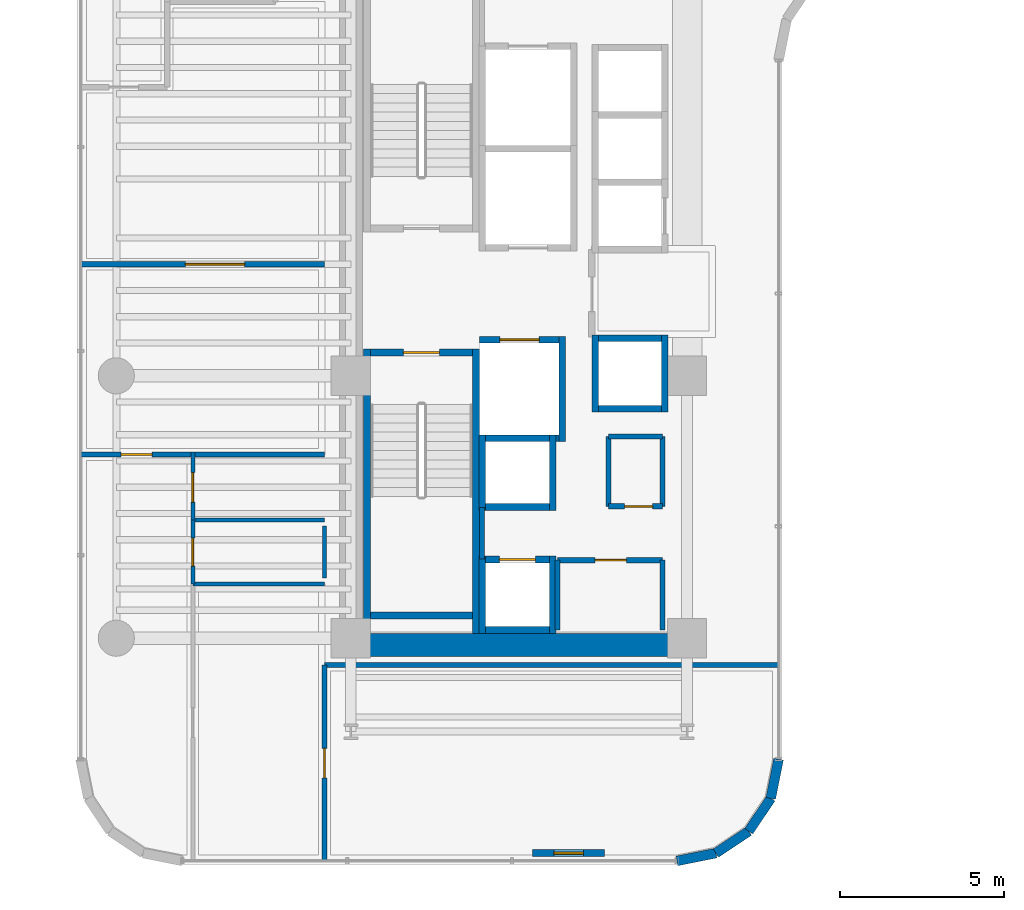
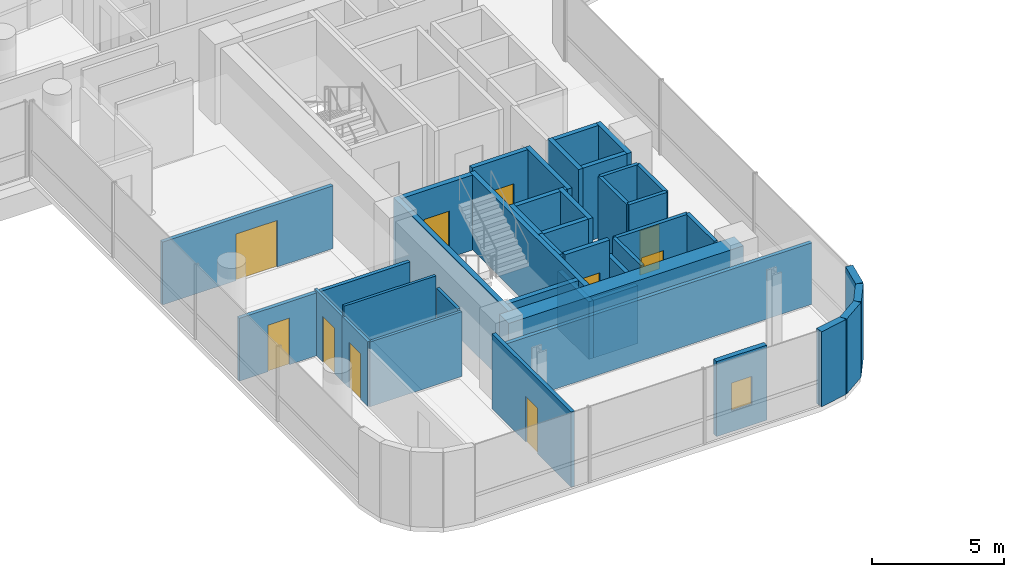
# One storey, part 27 of 35: 41 walls, 10 doors, 1 window, 11 openings.
"""IFC4 building model written with IfcOpenShell, lengths in metres."""

from ifc_helpers import new_model, si_unit, direction, frame, frame_2d, origin, place, context, subcontext, project, spatial, rectangle, extrude, material, layer, layer_set, type_object, element, fill, save


model = new_model("IFC4")

# Units and contexts
model_context = context("Model", 3, precision=1e-05, world=origin(), true_north=direction((0.0, 1.0)))
body_context = subcontext(model_context, "Body", "Model", "MODEL_VIEW")
ifc_project = project(units=[si_unit("LENGTHUNIT", "METRE"), si_unit("AREAUNIT", "SQUARE_METRE"), si_unit("VOLUMEUNIT", "CUBIC_METRE"), si_unit("PLANEANGLEUNIT", "RADIAN"), si_unit("MASSUNIT", "GRAM", prefix="KILO")], contexts=[model_context])

# Site, building, storey
site_placement = place(None, origin())
site = spatial("IfcSite", under=ifc_project, at=site_placement, CompositionType="ELEMENT")
building_placement = place(site_placement, origin())
building = spatial("IfcBuilding", under=site, at=building_placement, Name="Valdorenza Pilgrim Sanctuary Tower", CompositionType="ELEMENT")
storey_placement = place(building_placement, frame((0.0, 0.0, 150.10009765625)))
storey = spatial("IfcBuildingStorey", under=building, at=storey_placement, Name="L38", CompositionType="ELEMENT", Elevation=150.10009765625)

# Wall
ifc_material_1 = material(Name="Acoustic twin-stud gypsum partition", Category="gypsum")
ifc_layer_1 = layer(ifc_material_1, 0.159912109375, Name="Acoustic twin-stud gypsum partition")
ifc_layer_set_1 = layer_set([ifc_layer_1], Name="Acoustic twin-stud gypsum partition")
wall_type_1 = type_object("IfcWallType", Name="WAL-COR-160", PredefinedType="PARTITIONING", material=ifc_layer_set_1)
wall_1_placement = place(storey_placement, frame((-18.64990234375, -8.179931640625, 0.0), z_axis=(0.0, 0.0, 1.0), x_axis=(0.0, 1.0, 0.0)))
element("IfcWall", 1, at=wall_1_placement, inside=storey, type_object=wall_type_1, Name="L38 Core A South Lift Hall West Wall", PredefinedType="PARTITIONING", context=body_context, shape_type="SweptSolid", body=[
    extrude(rectangle(XDim=1.559814453125, YDim=0.159912109375, at=frame_2d((0.77978515625, 0.0))), origin(), (0.0, 0.0, 1.0), 3.4599609375),
])

# Wall, opening, door
wall_2_placement = place(storey_placement, frame((-16.35009765625, -8.219970703125, 0.0), z_axis=(0.0, 0.0, 1.0), x_axis=(1.0, 0.0, 0.0)))
wall_2 = element("IfcWall", 2, at=wall_2_placement, inside=storey, type_object=wall_type_1, Name="L38 Freed Shaft 1 North Wall", PredefinedType="PARTITIONING", context=body_context, shape_type="SweptSolid", body=[
    extrude(rectangle(XDim=3.2001953125, YDim=0.159912109375, at=frame_2d((1.60009765625, 0.0))), origin(), (0.0, 0.0, 1.0), 3.4599609375),
])
opening_1_placement = place(wall_2_placement, frame((1.14990234375, 0.0, 0.0)))
opening_1 = element("IfcOpeningElement", 3, at=opening_1_placement, cuts=wall_2, Name="Opening DR-UN1", PredefinedType="OPENING", context=body_context, shape_type="SweptSolid", body=[
    extrude(rectangle(XDim=0.949951171875, YDim=2.14990234375, at=frame_2d((0.47509765625, 1.074951171875))), frame((0.0, 0.0947265625, 0.0), z_axis=(0.0, -1.0, 0.0), x_axis=(1.0, 0.0, 0.0)), (0.0, 0.0, 1.0), 0.189697265625),
])
ifc_material_2 = material(Name="Solid-core European oak timber", Category="wood")
door_type_1 = type_object("IfcDoorType", Name="DR-UNIT-950", OperationType="NOTDEFINED", PredefinedType="DOOR", material=ifc_material_2)
door_1_placement = place(opening_1_placement, origin())
door_1 = element("IfcDoor", 4, at=door_1_placement, inside=storey, type_object=door_type_1, Name="L38 Back-of-House Linen Store Door", OperationType="SINGLE_SWING_RIGHT", OverallHeight=2.14990234375, OverallWidth=0.949951171875, PredefinedType="DOOR", context=body_context, shape_type="SweptSolid", body=[
    extrude(rectangle(XDim=0.949951171875, YDim=2.14990234375, at=frame_2d((0.47509765625, 1.074951171875))), frame((0.0, 0.02490234375, 0.0), z_axis=(0.0, -1.0, 0.0), x_axis=(1.0, 0.0, 0.0)), (0.0, 0.0, 1.0), 0.050048828125),
])
fill(opening_1, door_1)

# Wall
wall_3_placement = place(storey_placement, frame((-13.14990234375, -10.35009765625, 0.0), z_axis=(0.0, 0.0, 1.0), x_axis=(0.0, 1.0, 0.0)))
element("IfcWall", 5, at=wall_3_placement, inside=storey, type_object=wall_type_1, Name="L38 Freed Shaft 1 East Wall", PredefinedType="PARTITIONING", context=body_context, shape_type="SweptSolid", body=[
    extrude(rectangle(XDim=2.130126953125, YDim=0.159912109375, at=frame_2d((1.06494140625, 0.0))), origin(), (0.0, 0.0, 1.0), 3.4599609375),
])

# Wall, opening, door
wall_4_placement = place(storey_placement, frame((-14.800048828125, -6.580078125, 0.0), z_axis=(0.0, 0.0, 1.0), x_axis=(1.0, 0.0, 0.0)))
wall_4 = element("IfcWall", 6, at=wall_4_placement, inside=storey, type_object=wall_type_1, Name="L38 Freed Shaft 2 South Wall", PredefinedType="PARTITIONING", context=body_context, shape_type="SweptSolid", body=[
    extrude(rectangle(XDim=1.650146484375, YDim=0.159912109375, at=frame_2d((0.8251953125, 0.0))), origin(), (0.0, 0.0, 1.0), 3.4599609375),
])
opening_2_placement = place(wall_4_placement, frame((0.5, 0.0, 0.0)))
opening_2 = element("IfcOpeningElement", 7, at=opening_2_placement, cuts=wall_4, Name="Opening DR-RS1", PredefinedType="OPENING", context=body_context, shape_type="SweptSolid", body=[
    extrude(rectangle(XDim=0.85009765625, YDim=2.050048828125, at=frame_2d((0.425048828125, 1.02490234375))), frame((0.0, 0.0947265625, 0.0), z_axis=(0.0, -1.0, 0.0), x_axis=(1.0, 0.0, 0.0)), (0.0, 0.0, 1.0), 0.189697265625),
])
ifc_material_3 = material(Name="Painted galvanized steel", Category="steel")
door_type_2 = type_object("IfcDoorType", Name="DR-RSR-850", OperationType="NOTDEFINED", PredefinedType="DOOR", material=ifc_material_3)
door_2_placement = place(opening_2_placement, origin())
door_2 = element("IfcDoor", 8, at=door_2_placement, inside=storey, type_object=door_type_2, Name="L38 Guest Tea Pantry Door", OperationType="SINGLE_SWING_LEFT", OverallHeight=2.050048828125, OverallWidth=0.85009765625, PredefinedType="DOOR", context=body_context, shape_type="SweptSolid", body=[
    extrude(rectangle(XDim=0.85009765625, YDim=2.050048828125, at=frame_2d((0.425048828125, 1.02490234375))), frame((0.0, 0.02490234375, 0.0), z_axis=(0.0, -1.0, 0.0), x_axis=(1.0, 0.0, 0.0)), (0.0, 0.0, 1.0), 0.050048828125),
])
fill(opening_2, door_2)

# Walls
wall_5_placement = place(storey_placement, frame((-13.14990234375, -6.580078125, 0.0), z_axis=(0.0, 0.0, 1.0), x_axis=(0.0, 1.0, 0.0)))
element("IfcWall", 9, at=wall_5_placement, inside=storey, type_object=wall_type_1, Name="L38 Freed Shaft 2 East Wall", PredefinedType="PARTITIONING", context=body_context, shape_type="SweptSolid", body=[
    extrude(rectangle(XDim=2.130126953125, YDim=0.159912109375, at=frame_2d((1.06494140625, 0.0))), origin(), (0.0, 0.0, 1.0), 3.4599609375),
])
wall_6_placement = place(storey_placement, frame((-23.449951171875, -11.419921875, 0.0), z_axis=(0.0, 0.0, 1.0), x_axis=(1.0, 0.0, 0.0)))
element("IfcWall", 10, at=wall_6_placement, inside=storey, type_object=wall_type_1, Name="L38 South-East Pocket North Wall", PredefinedType="PARTITIONING", context=body_context, shape_type="SweptSolid", body=[
    extrude(rectangle(XDim=13.83984375, YDim=0.159912109375, at=frame_2d((6.919921875, 0.0))), origin(), (0.0, 0.0, 1.0), 2.833984375),
])

# Wall, opening, door
wall_7_placement = place(storey_placement, frame((-23.449951171875, -17.389892578125, 0.0), z_axis=(0.0, 0.0, 1.0), x_axis=(0.0, 1.0, 0.0)))
wall_7 = element("IfcWall", 11, at=wall_7_placement, inside=storey, type_object=wall_type_1, Name="L38 South-East Pocket West Wall", PredefinedType="PARTITIONING", context=body_context, shape_type="SweptSolid", body=[
    extrude(rectangle(XDim=5.969970703125, YDim=0.159912109375, at=frame_2d((2.98486328125, 0.0))), origin(), (0.0, 0.0, 1.0), 3.4599609375),
])
opening_3_placement = place(wall_7_placement, frame((2.534912109375, 0.0, 0.0)))
opening_3 = element("IfcOpeningElement", 12, at=opening_3_placement, cuts=wall_7, Name="Opening DR-RM1", PredefinedType="OPENING", context=body_context, shape_type="SweptSolid", body=[
    extrude(rectangle(XDim=0.89990234375, YDim=2.10009765625, at=frame_2d((0.449951171875, 1.050048828125))), frame((0.0, 0.0947265625, 0.0), z_axis=(0.0, -1.0, 0.0), x_axis=(1.0, 0.0, 0.0)), (0.0, 0.0, 1.0), 0.189697265625),
])
door_type_3 = type_object("IfcDoorType", Name="DR-ROOM-900", OperationType="NOTDEFINED", PredefinedType="DOOR", material=ifc_material_2)
door_3_placement = place(opening_3_placement, frame((0.89990234375, 0.0, 0.0), z_axis=(0.0, 0.0, 1.0), x_axis=(-1.0, 0.0, 0.0)))
door_3 = element("IfcDoor", 13, at=door_3_placement, inside=storey, type_object=door_type_3, Name="L38 Sacred Archive Reading Library L38-S Door", OperationType="SINGLE_SWING_LEFT", OverallHeight=2.10009765625, OverallWidth=0.89990234375, PredefinedType="DOOR", context=body_context, shape_type="SweptSolid", body=[
    extrude(rectangle(XDim=0.89990234375, YDim=2.10009765625, at=frame_2d((0.449951171875, 1.050048828125))), frame((0.0, 0.02490234375, 0.0), z_axis=(0.0, -1.0, 0.0), x_axis=(1.0, 0.0, 0.0)), (0.0, 0.0, 1.0), 0.050048828125),
])
fill(opening_3, door_3)

wall_8_placement = place(storey_placement, frame((-30.889892578125, -5.0, 0.0), z_axis=(0.0, 0.0, 1.0), x_axis=(1.0, 0.0, 0.0)))
wall_8 = element("IfcWall", 14, at=wall_8_placement, inside=storey, type_object=wall_type_1, Name="L38 Cloister South Room Wall", PredefinedType="PARTITIONING", context=body_context, shape_type="SweptSolid", body=[
    extrude(rectangle(XDim=7.43994140625, YDim=0.159912109375, at=frame_2d((3.719970703125, 0.0))), origin(), (0.0, 0.0, 1.0), 2.89599609375),
])
opening_4_placement = place(wall_8_placement, frame((1.236083984375, 0.0, 0.0)))
opening_4 = element("IfcOpeningElement", 15, at=opening_4_placement, cuts=wall_8, Name="Opening DR-UN1", PredefinedType="OPENING", context=body_context, shape_type="SweptSolid", body=[
    extrude(rectangle(XDim=0.949951171875, YDim=2.14990234375, at=frame_2d((0.47509765625, 1.074951171875))), frame((0.0, 0.0947265625, 0.0), z_axis=(0.0, -1.0, 0.0), x_axis=(1.0, 0.0, 0.0)), (0.0, 0.0, 1.0), 0.189697265625),
])
door_4_placement = place(opening_4_placement, frame((0.949951171875, 0.0, 0.0), z_axis=(0.0, 0.0, 1.0), x_axis=(-1.0, 0.0, 0.0)))
door_4 = element("IfcDoor", 16, at=door_4_placement, inside=storey, type_object=door_type_1, Name="L38 Sanctuary Apartment L38-CS1 Entrance Door", OperationType="SINGLE_SWING_LEFT", OverallHeight=2.14990234375, OverallWidth=0.949951171875, PredefinedType="DOOR", context=body_context, shape_type="SweptSolid", body=[
    extrude(rectangle(XDim=0.949951171875, YDim=2.14990234375, at=frame_2d((0.47509765625, 1.074951171875))), frame((0.0, 0.02490234375, 0.0), z_axis=(0.0, -1.0, 0.0), x_axis=(1.0, 0.0, 0.0)), (0.0, 0.0, 1.0), 0.050048828125),
])
fill(opening_4, door_4)

wall_9_placement = place(storey_placement, frame((-30.889892578125, 0.800048828125, 0.0), z_axis=(0.0, 0.0, 1.0), x_axis=(1.0, 0.0, 0.0)))
wall_9 = element("IfcWall", 17, at=wall_9_placement, inside=storey, type_object=wall_type_1, Name="L38 Cloister Mid Wall", PredefinedType="PARTITIONING", context=body_context, shape_type="SweptSolid", body=[
    extrude(rectangle(XDim=7.43994140625, YDim=0.159912109375, at=frame_2d((3.719970703125, 0.0))), origin(), (0.0, 0.0, 1.0), 2.89599609375),
])
opening_5_placement = place(wall_9_placement, frame((3.199951171875, 0.0, 0.0)))
opening_5 = element("IfcOpeningElement", 18, at=opening_5_placement, cuts=wall_9, Name="Opening DR-HL1", PredefinedType="OPENING", context=body_context, shape_type="SweptSolid", body=[
    extrude(rectangle(XDim=1.800048828125, YDim=2.14990234375, at=frame_2d((0.89990234375, 1.074951171875))), frame((0.0, 0.0947265625, 0.0), z_axis=(0.0, -1.0, 0.0), x_axis=(1.0, 0.0, 0.0)), (0.0, 0.0, 1.0), 0.189697265625),
])
ifc_material_4 = material(Name="Acoustic oak and vision-glass double door", Category="glass")
door_type_4 = type_object("IfcDoorType", Name="DR-HALL-1800", OperationType="NOTDEFINED", PredefinedType="DOOR", material=ifc_material_4)
door_5_placement = place(opening_5_placement, origin())
door_5 = element("IfcDoor", 19, at=door_5_placement, inside=storey, type_object=door_type_4, Name="L38 Cloister Mid Double Door", OperationType="DOUBLE_DOOR_SINGLE_SWING", OverallHeight=2.14990234375, OverallWidth=1.800048828125, PredefinedType="DOOR", context=body_context, shape_type="SweptSolid", body=[
    extrude(rectangle(XDim=1.800048828125, YDim=2.14990234375, at=frame_2d((0.89990234375, 1.074951171875))), frame((0.0, 0.02490234375, 0.0), z_axis=(0.0, -1.0, 0.0), x_axis=(1.0, 0.0, 0.0)), (0.0, 0.0, 1.0), 0.050048828125),
])
fill(opening_5, door_5)

# Walls
ifc_material_5 = material(Name="Concrete C60/75", Category="concrete")
ifc_layer_2 = layer(ifc_material_5, 0.699951171875, Name="Concrete C60/75")
ifc_layer_set_2 = layer_set([ifc_layer_2], Name="Concrete C60/75")
wall_type_2 = type_object("IfcWallType", Name="WAL-COR-700", PredefinedType="SHEAR", material=ifc_layer_set_2)
wall_10_placement = place(storey_placement, frame((-22.64990234375, -10.800048828125, 0.0), z_axis=(0.0, 0.0, 1.0), x_axis=(1.0, 0.0, 0.0)))
element("IfcWall", 20, at=wall_10_placement, inside=storey, type_object=wall_type_2, Name="L38 Split Core A Shear Wall S", PredefinedType="SHEAR", context=body_context, shape_type="SweptSolid", body=[
    extrude(rectangle(XDim=10.25, YDim=0.699951171875, at=frame_2d((5.125, 0.0))), origin(), (0.0, 0.0, 1.0), 3.4599609375),
])
ifc_material_6 = material(Name="Honed travertine limestone", Category="masonry")
ifc_layer_3 = layer(ifc_material_6, 0.300048828125, Name="Honed travertine limestone")
ifc_layer_set_3 = layer_set([ifc_layer_3], Name="Honed travertine limestone")
wall_type_3 = type_object("IfcWallType", Name="WAL-EXT-300", PredefinedType="SOLIDWALL", material=ifc_layer_set_3)
wall_11_placement = place(storey_placement, frame((-9.610107421875, -14.289306640625, 0.0), z_axis=(0.0, 0.0, 1.0), x_axis=(-0.194996050505, -0.980804027463, 0.0)))
element("IfcWall", 21, at=wall_11_placement, inside=storey, type_object=wall_type_3, Name="L38 Rounded Wind-Corner Stone Pier 42", PredefinedType="SOLIDWALL", context=body_context, shape_type="SweptSolid", body=[
    extrude(rectangle(XDim=1.2158203125, YDim=0.300048828125, at=frame_2d((0.60791015625, 0.0))), origin(), (0.0, 0.0, 1.0), 3.4599609375),
])
for number, where, z_axis, x_axis, name in (
    (22, (-9.84716796875, -15.481689453125, 0.0), (0.0, 0.0, 1.0), (-0.555635100982, -0.831426265255, 0.0), "L38 Rounded Wind-Corner Stone Pier 43"),
    (23, (-10.5166015625, -16.4833984375, 0.0), (0.0, 0.0, 1.0), (-0.831426265255, -0.555635100982, 0.0), "L38 Rounded Wind-Corner Stone Pier 44"),
):
    element("IfcWall", number, at=place(storey_placement, frame(where, z_axis=z_axis, x_axis=x_axis)), inside=storey, type_object=wall_type_3, Name=name, PredefinedType="SOLIDWALL", context=body_context, shape_type="SweptSolid", body=[
        extrude(rectangle(XDim=1.204833984375, YDim=0.300048828125, at=frame_2d((0.6025390625, 0.0))), origin(), (0.0, 0.0, 1.0), 3.4599609375),
    ])
wall_12_placement = place(storey_placement, frame((-11.518310546875, -17.15283203125, 0.0), z_axis=(0.0, 0.0, 1.0), x_axis=(-0.980804027463, -0.194996050505, 0.0)))
element("IfcWall", 24, at=wall_12_placement, inside=storey, type_object=wall_type_3, Name="L38 Rounded Wind-Corner Stone Pier 45", PredefinedType="SOLIDWALL", context=body_context, shape_type="SweptSolid", body=[
    extrude(rectangle(XDim=1.2158203125, YDim=0.300048828125, at=frame_2d((0.60791015625, 0.0))), origin(), (0.0, 0.0, 1.0), 3.4599609375),
])

# Wall, opening, window
wall_13_placement = place(storey_placement, frame((-14.910888671875, -17.14990234375, 0.0), z_axis=(0.0, 0.0, 1.0), x_axis=(-1.0, 0.0, 0.0)))
wall_13 = element("IfcWall", 25, at=wall_13_placement, inside=storey, type_object=wall_type_3, Name="L38 Operable Ventilation Sash Jamb Pier", PredefinedType="SOLIDWALL", context=body_context, shape_type="SweptSolid", body=[
    extrude(rectangle(XDim=2.199951171875, YDim=0.219970703125, at=frame_2d((1.10009765625, 0.0))), origin(), (0.0, 0.0, 1.0), 3.4599609375),
])
opening_6_placement = place(wall_13_placement, frame((0.64990234375, 0.0, 0.949951171875)))
opening_6 = element("IfcOpeningElement", 26, at=opening_6_placement, cuts=wall_13, Name="Opening WN-OP1", PredefinedType="OPENING", context=body_context, shape_type="SweptSolid", body=[
    extrude(rectangle(XDim=0.89990234375, YDim=1.300048828125, at=frame_2d((0.449951171875, 0.64990234375))), frame((0.0, 0.125, 0.0), z_axis=(0.0, -1.0, 0.0), x_axis=(1.0, 0.0, 0.0)), (0.0, 0.0, 1.0), 0.249755859375),
])
ifc_material_7 = material(Name="Ceramic-fritted low-E IGU glazing", Category="glass")
window_type = type_object("IfcWindowType", Name="WIN-OPN-900", PartitioningType="SINGLE_PANEL", PredefinedType="WINDOW", material=ifc_material_7)
window_placement = place(opening_6_placement, origin())
window = element("IfcWindow", 27, at=window_placement, inside=storey, type_object=window_type, Name="L38 Parallel-Pop-Out Operable Facade Panel", OverallHeight=1.300048828125, OverallWidth=0.89990234375, PartitioningType="SINGLE_PANEL", PredefinedType="WINDOW", context=body_context, shape_type="SweptSolid", body=[
    extrude(rectangle(XDim=0.89990234375, YDim=1.300048828125, at=frame_2d((0.449951171875, 0.64990234375))), frame((0.0, 0.030029296875, 0.0), z_axis=(0.0, -1.0, 0.0), x_axis=(1.0, 0.0, 0.0)), (0.0, 0.0, 1.0), 0.06005859375),
])
fill(opening_6, window)

# Walls
ifc_material_8 = material(Name="Moisture-resistant gypsum partition", Category="gypsum")
ifc_layer_4 = layer(ifc_material_8, 0.1201171875, Name="Moisture-resistant gypsum partition")
ifc_layer_set_4 = layer_set([ifc_layer_4], Name="Moisture-resistant gypsum partition")
wall_type_4 = type_object("IfcWallType", Name="WAL-INT-120", PredefinedType="PARTITIONING", material=ifc_layer_set_4)
wall_14_placement = place(storey_placement, frame((-27.467529296875, -7.0, 0.0), z_axis=(0.0, 0.0, 1.0), x_axis=(1.0, 0.0, 0.0)))
element("IfcWall", 28, at=wall_14_placement, inside=storey, type_object=wall_type_4, Name="L38 Sanctuary Apartment L38-CS1 Bath-Kitchen Wall", PredefinedType="PARTITIONING", context=body_context, shape_type="SweptSolid", body=[
    extrude(rectangle(XDim=4.017578125, YDim=0.1201171875, at=frame_2d((2.0087890625, 0.0))), origin(), (0.0, 0.0, 1.0), 3.4599609375),
])
wall_15_placement = place(storey_placement, frame((-27.467529296875, -8.949951171875, 0.0), z_axis=(0.0, 0.0, 1.0), x_axis=(1.0, 0.0, 0.0)))
element("IfcWall", 29, at=wall_15_placement, inside=storey, type_object=wall_type_4, Name="L38 Sanctuary Apartment L38-CS1 Kitchen-Bedroom Wall", PredefinedType="PARTITIONING", context=body_context, shape_type="SweptSolid", body=[
    extrude(rectangle(XDim=4.017578125, YDim=0.1201171875, at=frame_2d((2.0087890625, 0.0))), origin(), (0.0, 0.0, 1.0), 2.98779296875),
])

# Wall, opening, door
wall_16_placement = place(storey_placement, frame((-27.467529296875, -8.949951171875, 0.0), z_axis=(0.0, 0.0, 1.0), x_axis=(0.0, 1.0, 0.0)))
wall_16 = element("IfcWall", 30, at=wall_16_placement, inside=storey, type_object=wall_type_4, Name="L38 Sanctuary Apartment L38-CS1 Bathroom Door Wall", PredefinedType="PARTITIONING", context=body_context, shape_type="SweptSolid", body=[
    extrude(rectangle(XDim=1.949951171875, YDim=0.1201171875, at=frame_2d((0.97509765625, 0.0))), origin(), (0.0, 0.0, 1.0), 2.98779296875),
])
opening_7_placement = place(wall_16_placement, frame((0.550048828125, 0.0, 0.0)))
opening_7 = element("IfcOpeningElement", 31, at=opening_7_placement, cuts=wall_16, Name="Opening DR-WC1", PredefinedType="OPENING", context=body_context, shape_type="SweptSolid", body=[
    extrude(rectangle(XDim=0.85009765625, YDim=2.10009765625, at=frame_2d((0.425048828125, 1.050048828125))), frame((0.0, 0.074951171875, 0.0), z_axis=(0.0, -1.0, 0.0), x_axis=(1.0, 0.0, 0.0)), (0.0, 0.0, 1.0), 0.14990234375),
])
ifc_material_9 = material(Name="Moisture-resistant lacquered timber", Category="wood")
door_type_5 = type_object("IfcDoorType", Name="DR-BATH-850", OperationType="NOTDEFINED", PredefinedType="DOOR", material=ifc_material_9)
door_6_placement = place(opening_7_placement, origin())
door_6 = element("IfcDoor", 32, at=door_6_placement, inside=storey, type_object=door_type_5, Name="L38 Sanctuary Apartment L38-CS1 Bathroom Door", OperationType="SINGLE_SWING_RIGHT", OverallHeight=2.10009765625, OverallWidth=0.85009765625, PredefinedType="DOOR", context=body_context, shape_type="SweptSolid", body=[
    extrude(rectangle(XDim=0.85009765625, YDim=2.10009765625, at=frame_2d((0.425048828125, 1.050048828125))), frame((0.0, 0.02490234375, 0.0), z_axis=(0.0, -1.0, 0.0), x_axis=(1.0, 0.0, 0.0)), (0.0, 0.0, 1.0), 0.050048828125),
])
fill(opening_7, door_6)

wall_17_placement = place(storey_placement, frame((-27.467529296875, -7.0, 0.0), z_axis=(0.0, 0.0, 1.0), x_axis=(0.0, 1.0, 0.0)))
wall_17 = element("IfcWall", 33, at=wall_17_placement, inside=storey, type_object=wall_type_4, Name="L38 Sanctuary Apartment L38-CS1 Kitchen Door Wall", PredefinedType="PARTITIONING", context=body_context, shape_type="SweptSolid", body=[
    extrude(rectangle(XDim=2.080078125, YDim=0.1201171875, at=frame_2d((1.0400390625, 0.0))), origin(), (0.0, 0.0, 1.0), 2.98779296875),
])
opening_8_placement = place(wall_17_placement, frame((0.550048828125, 0.0, 0.0)))
opening_8 = element("IfcOpeningElement", 34, at=opening_8_placement, cuts=wall_17, Name="Opening DR-RM1", PredefinedType="OPENING", context=body_context, shape_type="SweptSolid", body=[
    extrude(rectangle(XDim=0.89990234375, YDim=2.10009765625, at=frame_2d((0.449951171875, 1.050048828125))), frame((0.0, 0.074951171875, 0.0), z_axis=(0.0, -1.0, 0.0), x_axis=(1.0, 0.0, 0.0)), (0.0, 0.0, 1.0), 0.14990234375),
])
door_7_placement = place(opening_8_placement, origin())
door_7 = element("IfcDoor", 35, at=door_7_placement, inside=storey, type_object=door_type_3, Name="L38 Sanctuary Apartment L38-CS1 Kitchen Door", OperationType="SINGLE_SWING_LEFT", OverallHeight=2.10009765625, OverallWidth=0.89990234375, PredefinedType="DOOR", context=body_context, shape_type="SweptSolid", body=[
    extrude(rectangle(XDim=0.89990234375, YDim=2.10009765625, at=frame_2d((0.449951171875, 1.050048828125))), frame((0.0, 0.02490234375, 0.0), z_axis=(0.0, -1.0, 0.0), x_axis=(1.0, 0.0, 0.0)), (0.0, 0.0, 1.0), 0.050048828125),
])
fill(opening_8, door_7)

# Walls
wall_18_placement = place(storey_placement, frame((-23.449951171875, -8.77001953125, 0.0), z_axis=(0.0, 0.0, 1.0), x_axis=(0.0, 1.0, 0.0)))
element("IfcWall", 36, at=wall_18_placement, inside=storey, type_object=wall_type_4, Name="L38 CL-SF1-BTH Enclosure Wall E", PredefinedType="PARTITIONING", context=body_context, shape_type="SweptSolid", body=[
    extrude(rectangle(XDim=1.590087890625, YDim=0.1201171875, at=frame_2d((0.794921875, 0.0))), origin(), (0.0, 0.0, 1.0), 2.98779296875),
])
ifc_material_10 = material(Name="Autoclaved aerated concrete blockwork", Category="masonry")
ifc_layer_5 = layer(ifc_material_10, 0.199951171875, Name="Autoclaved aerated concrete blockwork")
ifc_layer_set_5 = layer_set([ifc_layer_5], Name="Autoclaved aerated concrete blockwork")
wall_type_5 = type_object("IfcWallType", Name="WAL-SHF-200", PredefinedType="MOVABLE", material=ifc_layer_set_5)
wall_19_placement = place(storey_placement, frame((-16.199951171875, -4.60009765625, 0.0), z_axis=(0.0, 0.0, 1.0), x_axis=(0.0, 1.0, 0.0)))
element("IfcWall", 37, at=wall_19_placement, inside=storey, type_object=wall_type_5, Name="L38 Lift FFL-02 Hoistway Wall East", PredefinedType="MOVABLE", context=body_context, shape_type="SweptSolid", body=[
    extrude(rectangle(XDim=3.2001953125, YDim=0.199951171875, at=frame_2d((1.60009765625, 0.0))), origin(), (0.0, 0.0, 1.0), 3.4599609375),
])
wall_20_placement = place(storey_placement, frame((-18.719970703125, -4.5, 0.0), z_axis=(0.0, 0.0, 1.0), x_axis=(1.0, 0.0, 0.0)))
element("IfcWall", 38, at=wall_20_placement, inside=storey, type_object=wall_type_5, Name="L38 Lift FFL-02 Hoistway Wall South", PredefinedType="MOVABLE", context=body_context, shape_type="SweptSolid", body=[
    extrude(rectangle(XDim=2.419921875, YDim=0.199951171875, at=frame_2d((1.2099609375, 0.0))), origin(), (0.0, 0.0, 1.0), 3.4599609375),
])

# Wall, opening, door
wall_21_placement = place(storey_placement, frame((-18.719970703125, -1.5, 0.0), z_axis=(0.0, 0.0, 1.0), x_axis=(1.0, 0.0, 0.0)))
wall_21 = element("IfcWall", 39, at=wall_21_placement, inside=storey, type_object=wall_type_5, Name="L38 Lift FFL-02 Hoistway Wall North", PredefinedType="MOVABLE", context=body_context, shape_type="SweptSolid", body=[
    extrude(rectangle(XDim=2.419921875, YDim=0.199951171875, at=frame_2d((1.2099609375, 0.0))), origin(), (0.0, 0.0, 1.0), 3.4599609375),
])
opening_9_placement = place(wall_21_placement, frame((0.610107421875, 0.0, 0.0)))
opening_9 = element("IfcOpeningElement", 40, at=opening_9_placement, cuts=wall_21, Name="Opening LD-02", PredefinedType="OPENING", context=body_context, shape_type="SweptSolid", body=[
    extrude(rectangle(XDim=1.199951171875, YDim=2.10009765625, at=frame_2d((0.60009765625, 1.050048828125))), frame((0.0, 0.11474609375, 0.0), z_axis=(0.0, -1.0, 0.0), x_axis=(1.0, 0.0, 0.0)), (0.0, 0.0, 1.0), 0.229736328125),
])
ifc_material_11 = material(Name="Brushed stainless steel Grade 316", Category="steel")
door_type_6 = type_object("IfcDoorType", Name="DR-LFT-1200", OperationType="DOUBLE_DOOR_SLIDING", PredefinedType="DOOR", material=ifc_material_11)
door_8_placement = place(opening_9_placement, origin())
door_8 = element("IfcDoor", 41, at=door_8_placement, inside=storey, type_object=door_type_6, Name="L38 Lift FFL-02 Sliding Landing Door", OperationType="DOUBLE_DOOR_SLIDING", OverallHeight=2.10009765625, OverallWidth=1.199951171875, PredefinedType="DOOR", context=body_context, shape_type="SweptSolid", body=[
    extrude(rectangle(XDim=1.199951171875, YDim=2.10009765625, at=frame_2d((0.60009765625, 1.050048828125))), frame((0.0, 0.02490234375, 0.0), z_axis=(0.0, -1.0, 0.0), x_axis=(1.0, 0.0, 0.0)), (0.0, 0.0, 1.0), 0.050048828125),
])
fill(opening_9, door_8)

# Walls
for number, where, z_axis, x_axis, name in (
    (42, (-18.64990234375, -10.449951171875, 0.0), (0.0, 0.0, 1.0), (0.0, 1.0, 0.0), "L38 Lift PL-05 Hoistway Wall West"),
    (43, (-16.5, -10.449951171875, 0.0), (0.0, 0.0, 1.0), (0.0, 1.0, 0.0), "L38 Lift PL-05 Hoistway Wall East"),
):
    element("IfcWall", number, at=place(storey_placement, frame(where, z_axis=z_axis, x_axis=x_axis)), inside=storey, type_object=wall_type_5, Name=name, PredefinedType="MOVABLE", context=body_context, shape_type="SweptSolid", body=[
        extrude(rectangle(XDim=2.349853515625, YDim=0.199951171875, at=frame_2d((1.1748046875, 0.0))), origin(), (0.0, 0.0, 1.0), 2.666015625),
    ])
wall_22_placement = place(storey_placement, frame((-18.550048828125, -10.35009765625, 0.0), z_axis=(0.0, 0.0, 1.0), x_axis=(1.0, 0.0, 0.0)))
element("IfcWall", 44, at=wall_22_placement, inside=storey, type_object=wall_type_5, Name="L38 Lift PL-05 Hoistway Wall South", PredefinedType="MOVABLE", context=body_context, shape_type="SweptSolid", body=[
    extrude(rectangle(XDim=1.949951171875, YDim=0.199951171875, at=frame_2d((0.97509765625, 0.0))), origin(), (0.0, 0.0, 1.0), 2.666015625),
])

# Wall, opening, door
wall_23_placement = place(storey_placement, frame((-18.550048828125, -8.199951171875, 0.0), z_axis=(0.0, 0.0, 1.0), x_axis=(1.0, 0.0, 0.0)))
wall_23 = element("IfcWall", 45, at=wall_23_placement, inside=storey, type_object=wall_type_5, Name="L38 Lift PL-05 Hoistway Wall North", PredefinedType="MOVABLE", context=body_context, shape_type="SweptSolid", body=[
    extrude(rectangle(XDim=1.949951171875, YDim=0.199951171875, at=frame_2d((0.97509765625, 0.0))), origin(), (0.0, 0.0, 1.0), 3.4599609375),
])
opening_10_placement = place(wall_23_placement, frame((0.425048828125, 0.0, 0.0)))
opening_10 = element("IfcOpeningElement", 46, at=opening_10_placement, cuts=wall_23, Name="Opening LD-01", PredefinedType="OPENING", context=body_context, shape_type="SweptSolid", body=[
    extrude(rectangle(XDim=1.10009765625, YDim=2.10009765625, at=frame_2d((0.550048828125, 1.050048828125))), frame((0.0, 0.11474609375, 0.0), z_axis=(0.0, -1.0, 0.0), x_axis=(1.0, 0.0, 0.0)), (0.0, 0.0, 1.0), 0.229736328125),
])
door_type_7 = type_object("IfcDoorType", Name="DR-LFT-1100", OperationType="DOUBLE_DOOR_SLIDING", PredefinedType="DOOR", material=ifc_material_11)
door_9_placement = place(opening_10_placement, origin())
door_9 = element("IfcDoor", 47, at=door_9_placement, inside=storey, type_object=door_type_7, Name="L38 Lift PL-05 Sliding Landing Door", OperationType="DOUBLE_DOOR_SLIDING", OverallHeight=2.10009765625, OverallWidth=1.10009765625, PredefinedType="DOOR", context=body_context, shape_type="SweptSolid", body=[
    extrude(rectangle(XDim=1.10009765625, YDim=2.10009765625, at=frame_2d((0.550048828125, 1.050048828125))), frame((0.0, 0.02490234375, 0.0), z_axis=(0.0, -1.0, 0.0), x_axis=(1.0, 0.0, 0.0)), (0.0, 0.0, 1.0), 0.050048828125),
])
fill(opening_10, door_9)

# Walls
for number, where, z_axis, x_axis, name in (
    (48, (-18.64990234375, -6.699951171875, 0.0), (0.0, 0.0, 1.0), (0.0, 1.0, 0.0), "L38 Lift PL-11 Hoistway Wall West"),
    (49, (-16.5, -6.699951171875, 0.0), (0.0, 0.0, 1.0), (0.0, 1.0, 0.0), "L38 Lift PL-11 Hoistway Wall East"),
):
    element("IfcWall", number, at=place(storey_placement, frame(where, z_axis=z_axis, x_axis=x_axis)), inside=storey, type_object=wall_type_5, Name=name, PredefinedType="MOVABLE", context=body_context, shape_type="SweptSolid", body=[
        extrude(rectangle(XDim=2.300048828125, YDim=0.199951171875, at=frame_2d((1.14990234375, 0.0))), origin(), (0.0, 0.0, 1.0), 3.4599609375),
    ])
wall_24_placement = place(storey_placement, frame((-18.550048828125, -6.60009765625, 0.0), z_axis=(0.0, 0.0, 1.0), x_axis=(1.0, 0.0, 0.0)))
element("IfcWall", 50, at=wall_24_placement, inside=storey, type_object=wall_type_5, Name="L38 Lift PL-11 Hoistway Wall South", PredefinedType="MOVABLE", context=body_context, shape_type="SweptSolid", body=[
    extrude(rectangle(XDim=1.949951171875, YDim=0.199951171875, at=frame_2d((0.97509765625, 0.0))), origin(), (0.0, 0.0, 1.0), 3.4599609375),
])
for number, where, z_axis, x_axis, name in (
    (51, (-15.199951171875, -3.699951171875, 0.0), (0.0, 0.0, 1.0), (0.0, 1.0, 0.0), "L38 Lift PL-12 Hoistway Wall West"),
    (52, (-13.080078125, -3.699951171875, 0.0), (0.0, 0.0, 1.0), (0.0, 1.0, 0.0), "L38 Lift PL-12 Hoistway Wall East"),
):
    element("IfcWall", number, at=place(storey_placement, frame(where, z_axis=z_axis, x_axis=x_axis)), inside=storey, type_object=wall_type_5, Name=name, PredefinedType="MOVABLE", context=body_context, shape_type="SweptSolid", body=[
        extrude(rectangle(XDim=2.349853515625, YDim=0.199951171875, at=frame_2d((1.1748046875, 0.0))), origin(), (0.0, 0.0, 1.0), 3.4599609375),
    ])
for number, where, z_axis, x_axis, name in (
    (53, (-15.10009765625, -3.60009765625, 0.0), (0.0, 0.0, 1.0), (1.0, 0.0, 0.0), "L38 Lift PL-12 Hoistway Wall South"),
    (54, (-15.10009765625, -1.449951171875, 0.0), (0.0, 0.0, 1.0), (1.0, 0.0, 0.0), "L38 Lift PL-12 Hoistway Wall North"),
):
    element("IfcWall", number, at=place(storey_placement, frame(where, z_axis=z_axis, x_axis=x_axis)), inside=storey, type_object=wall_type_5, Name=name, PredefinedType="MOVABLE", context=body_context, shape_type="SweptSolid", body=[
        extrude(rectangle(XDim=1.920166015625, YDim=0.199951171875, at=frame_2d((0.9599609375, 0.0))), origin(), (0.0, 0.0, 1.0), 3.4599609375),
    ])
ifc_material_12 = material(Name="Concrete C40/50", Category="concrete")
ifc_layer_6 = layer(ifc_material_12, 0.219970703125, Name="Concrete C40/50")
ifc_layer_set_6 = layer_set([ifc_layer_6], Name="Concrete C40/50")
wall_type_6 = type_object("IfcWallType", Name="WAL-STR-SHF-220", PredefinedType="SHEAR", material=ifc_layer_set_6)
for number, where, z_axis, x_axis, name in (
    (55, (-22.159912109375, -10.449951171875, 0.0), (0.0, 0.0, 1.0), (0.0, 1.0, 0.0), "L38 ST-A2 Structural Stairwell Wall W"),
    (56, (-18.830078125, -10.449951171875, 0.0), (0.0, 0.0, 1.0), (0.0, 1.0, 0.0), "L38 ST-A2 Structural Stairwell Wall E"),
):
    element("IfcWall", number, at=place(storey_placement, frame(where, z_axis=z_axis, x_axis=x_axis)), inside=storey, type_object=wall_type_6, Name=name, PredefinedType="SHEAR", context=body_context, shape_type="SweptSolid", body=[
        extrude(rectangle(XDim=8.669921875, YDim=0.219970703125, at=frame_2d((4.3349609375, 0.0))), origin(), (0.0, 0.0, 1.0), 3.4599609375),
    ])
wall_25_placement = place(storey_placement, frame((-22.050048828125, -9.909912109375, 0.0), z_axis=(0.0, 0.0, 1.0), x_axis=(1.0, 0.0, 0.0)))
element("IfcWall", 57, at=wall_25_placement, inside=storey, type_object=wall_type_6, Name="L38 ST-A2 Structural Stairwell Wall S", PredefinedType="SHEAR", context=body_context, shape_type="SweptSolid", body=[
    extrude(rectangle(XDim=3.110107421875, YDim=0.219970703125, at=frame_2d((1.55517578125, 0.0))), origin(), (0.0, 0.0, 1.0), 3.4599609375),
])

# Wall, opening, door
wall_26_placement = place(storey_placement, frame((-22.050048828125, -1.889892578125, 0.0), z_axis=(0.0, 0.0, 1.0), x_axis=(1.0, 0.0, 0.0)))
wall_26 = element("IfcWall", 58, at=wall_26_placement, inside=storey, type_object=wall_type_6, Name="L38 ST-A2 Structural Stairwell Wall N", PredefinedType="SHEAR", context=body_context, shape_type="SweptSolid", body=[
    extrude(rectangle(XDim=3.110107421875, YDim=0.219970703125, at=frame_2d((1.55517578125, 0.0))), origin(), (0.0, 0.0, 1.0), 3.4599609375),
])
opening_11_placement = place(wall_26_placement, frame((1.0, 0.0, 0.0)))
opening_11 = element("IfcOpeningElement", 59, at=opening_11_placement, cuts=wall_26, Name="Opening DR-ST1", PredefinedType="OPENING", context=body_context, shape_type="SweptSolid", body=[
    extrude(rectangle(XDim=1.10009765625, YDim=2.14990234375, at=frame_2d((0.550048828125, 1.074951171875))), frame((0.0, 0.125, 0.0), z_axis=(0.0, -1.0, 0.0), x_axis=(1.0, 0.0, 0.0)), (0.0, 0.0, 1.0), 0.249755859375),
])
door_type_8 = type_object("IfcDoorType", Name="DR-STAIR-1100", OperationType="NOTDEFINED", PredefinedType="DOOR", material=ifc_material_3)
door_10_placement = place(opening_11_placement, origin())
door_10 = element("IfcDoor", 60, at=door_10_placement, inside=storey, type_object=door_type_8, Name="L38 Exit Stair ST-A2 Door", OperationType="SINGLE_SWING_RIGHT", OverallHeight=2.14990234375, OverallWidth=1.10009765625, PredefinedType="DOOR", context=body_context, shape_type="SweptSolid", body=[
    extrude(rectangle(XDim=1.10009765625, YDim=2.14990234375, at=frame_2d((0.550048828125, 1.074951171875))), frame((0.0, 0.02490234375, 0.0), z_axis=(0.0, -1.0, 0.0), x_axis=(1.0, 0.0, 0.0)), (0.0, 0.0, 1.0), 0.050048828125),
])
fill(opening_11, door_10)

# Walls
ifc_layer_7 = layer(ifc_material_1, 0.14990234375, Name="Acoustic twin-stud gypsum partition")
ifc_layer_set_7 = layer_set([ifc_layer_7], Name="Acoustic twin-stud gypsum partition")
wall_type_7 = type_object("IfcWallType", Name="WAL-UNT-150", PredefinedType="PARTITIONING", material=ifc_layer_set_7)
for number, where, z_axis, x_axis, name in (
    (61, (-16.35009765625, -10.35009765625, 0.0), (0.0, 0.0, 1.0), (0.0, 1.0, 0.0), "L38 Freed Shaft 1 West Wall"),
    (62, (-14.800048828125, -6.580078125, 0.0), (0.0, 0.0, 1.0), (0.0, 1.0, 0.0), "L38 Freed Shaft 2 West Wall"),
):
    element("IfcWall", number, at=place(storey_placement, frame(where, z_axis=z_axis, x_axis=x_axis)), inside=storey, type_object=wall_type_7, Name=name, PredefinedType="PARTITIONING", context=body_context, shape_type="SweptSolid", body=[
        extrude(rectangle(XDim=2.130126953125, YDim=0.14990234375, at=frame_2d((1.06494140625, 0.0))), origin(), (0.0, 0.0, 1.0), 3.4599609375),
    ])
wall_27_placement = place(storey_placement, frame((-14.800048828125, -4.449951171875, 0.0), z_axis=(0.0, 0.0, 1.0), x_axis=(1.0, 0.0, 0.0)))
element("IfcWall", 63, at=wall_27_placement, inside=storey, type_object=wall_type_7, Name="L38 Freed Shaft 2 North Wall", PredefinedType="PARTITIONING", context=body_context, shape_type="SweptSolid", body=[
    extrude(rectangle(XDim=1.650146484375, YDim=0.14990234375, at=frame_2d((0.8251953125, 0.0))), origin(), (0.0, 0.0, 1.0), 3.4599609375),
])

save(model, "model.ifc")
